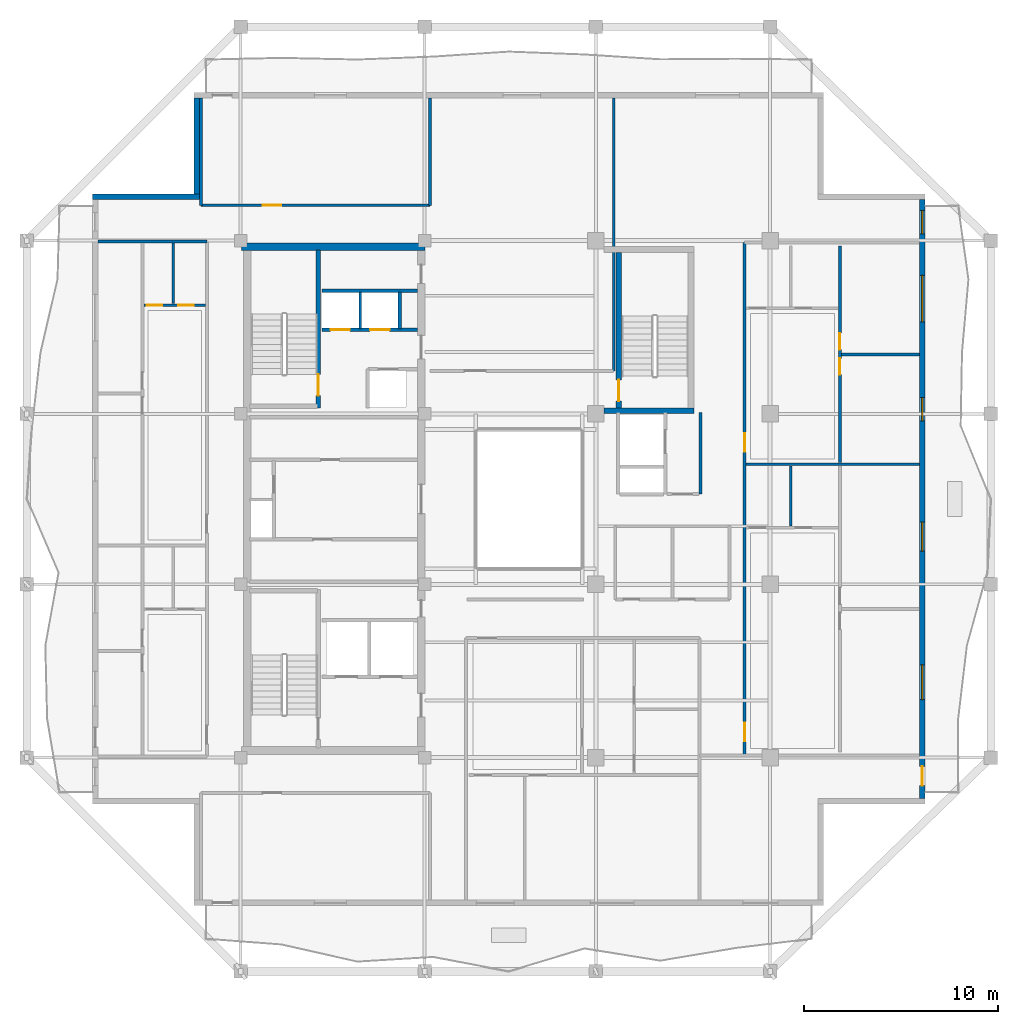
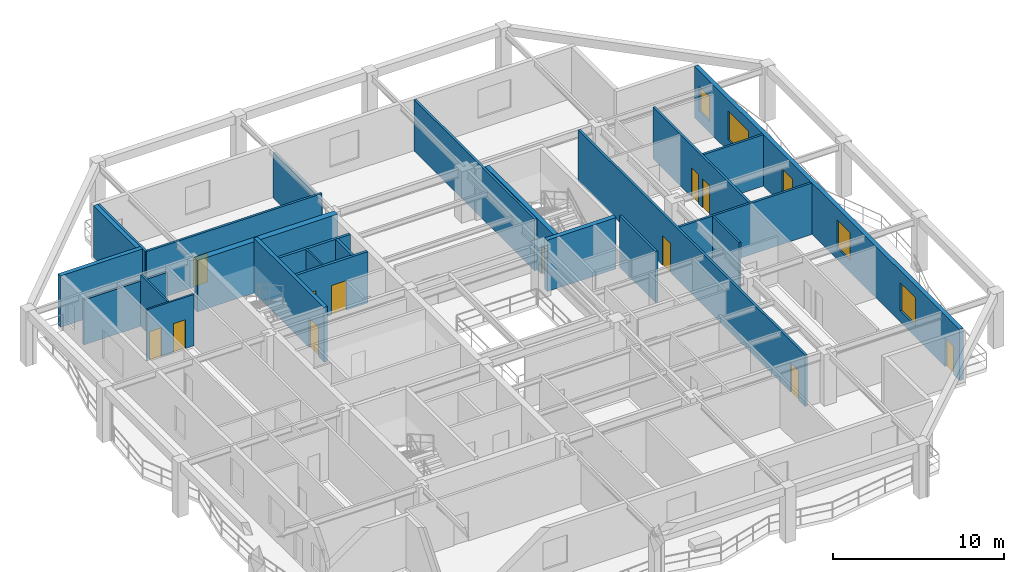
# One storey, part 5 of 12: 24 walls, 12 doors, 5 windows, 17 openings.
"""IFC4 building model written with IfcOpenShell, lengths in metres."""

from ifc_helpers import new_model, si_unit, direction, frame, frame_2d, origin, place, context, subcontext, project, spatial, rectangle, extrude, material, layer, layer_set, type_object, element, fill, save


model = new_model("IFC4")

# Units and contexts
model_context = context("Model", 3, precision=1e-05, world=origin(), true_north=direction((0.0, 1.0)))
body_context = subcontext(model_context, "Body", "Model", "MODEL_VIEW")
ifc_project = project(units=[si_unit("LENGTHUNIT", "METRE"), si_unit("AREAUNIT", "SQUARE_METRE"), si_unit("VOLUMEUNIT", "CUBIC_METRE"), si_unit("PLANEANGLEUNIT", "RADIAN"), si_unit("MASSUNIT", "GRAM", prefix="KILO")], contexts=[model_context])

# Site, building, storey
site_placement = place(None, origin())
site = spatial("IfcSite", under=ifc_project, at=site_placement, CompositionType="ELEMENT")
building_placement = place(site_placement, origin())
building = spatial("IfcBuilding", under=site, at=building_placement, Name="Kundavana Baori Tower", CompositionType="ELEMENT")
storey_placement = place(building_placement, frame((0.0, 0.0, 245.300048828125)))
storey = spatial("IfcBuildingStorey", under=building, at=storey_placement, Name="L60", CompositionType="ELEMENT", Elevation=245.300048828125)

# Wall
ifc_material_1 = material(Name="Concrete C50/60", Category="concrete")
ifc_layer_1 = layer(ifc_material_1, 0.39990234375, Name="WL-CORE-400")
ifc_layer_set_1 = layer_set([ifc_layer_1], Name="Concrete C50/60")
wall_type_1 = type_object("IfcWallType", Name="WL-CORE-400", PredefinedType="SHEAR", material=ifc_layer_set_1)
wall_1_placement = place(storey_placement, frame((15.5, 41.639892578125, 0.0), z_axis=(0.0, 0.0, 1.0), x_axis=(1.0, 0.0, 0.0)))
element("IfcWall", 1, at=wall_1_placement, inside=storey, type_object=wall_type_1, Name="L60 Offset Core North Shear Wall", PredefinedType="SHEAR", context=body_context, shape_type="SweptSolid", body=[
    extrude(rectangle(XDim=9.47998046875, YDim=0.39990234375, at=frame_2d((4.739990234375, 0.0))), origin(), (0.0, 0.0, 1.0), 3.659912109375),
])

# Wall, opening, door
wall_2_placement = place(storey_placement, frame((19.4599609375, 33.300048828125, 0.0), z_axis=(0.0, 0.0, 1.0), x_axis=(0.0, 1.0, 0.0)))
wall_2 = element("IfcWall", 2, at=wall_2_placement, inside=storey, type_object=wall_type_1, Name="WL-L60-ST2-E", PredefinedType="SHEAR", context=body_context, shape_type="SweptSolid", body=[
    extrude(rectangle(XDim=8.179931640625, YDim=0.239990234375, at=frame_2d((4.08984375, 0.0))), origin(), (0.0, 0.0, 1.0), 3.89990234375),
])
opening_1_placement = place(wall_2_placement, frame((0.64990234375, 0.0, 0.0)))
opening_1 = element("IfcOpeningElement", 3, at=opening_1_placement, cuts=wall_2, Name="Opening FD-110", PredefinedType="OPENING", context=body_context, shape_type="SweptSolid", body=[
    extrude(rectangle(XDim=1.10009765625, YDim=2.10009765625, at=frame_2d((0.550048828125, 1.050048828125))), frame((0.0, 0.1298828125, 0.0), z_axis=(0.0, -1.0, 0.0), x_axis=(1.0, 0.0, 0.0)), (0.0, 0.0, 1.0), 0.260009765625),
])
ifc_material_2 = material(Name="Galvanised Steel Fire-Rated Door Leaf", Category="steel")
door_type_1 = type_object("IfcDoorType", Name="DR-FD120-1100", OperationType="NOTDEFINED", PredefinedType="DOOR", material=ifc_material_2)
door_1_placement = place(opening_1_placement, origin())
door_1 = element("IfcDoor", 4, at=door_1_placement, inside=storey, type_object=door_type_1, Name="DR-L60-ST2", OperationType="SINGLE_SWING_RIGHT", OverallHeight=2.10009765625, OverallWidth=1.10009765625, PredefinedType="DOOR", context=body_context, shape_type="SweptSolid", body=[
    extrude(rectangle(XDim=1.10009765625, YDim=2.10009765625, at=frame_2d((0.550048828125, 1.050048828125))), frame((0.0, 0.02490234375, 0.0), z_axis=(0.0, -1.0, 0.0), x_axis=(1.0, 0.0, 0.0)), (0.0, 0.0, 1.0), 0.050048828125),
])
fill(opening_1, door_1)

# Wall, openings, door, windows
ifc_material_3 = material(Name="Red-Buff Dholpur Sandstone Cladding on Concrete C40/50", Category="masonry")
ifc_layer_2 = layer(ifc_material_3, 0.280029296875, Name="WL-EXT-SAND-280")
ifc_layer_set_2 = layer_set([ifc_layer_2], Name="Red-Buff Dholpur Sandstone Cladding on Concrete C40/50")
wall_type_2 = type_object("IfcWallType", Name="WL-EXT-SAND-280", PredefinedType="STANDARD", material=ifc_layer_set_2)
wall_3_placement = place(storey_placement, frame((50.659912109375, 13.1298828125, 0.0), z_axis=(0.0, 0.0, 1.0), x_axis=(0.0, 1.0, 0.0)))
wall_3 = element("IfcWall", 5, at=wall_3_placement, inside=storey, type_object=wall_type_2, Name="L60 Exterior Insulated Facade Wall 04", PredefinedType="STANDARD", context=body_context, shape_type="SweptSolid", body=[
    extrude(rectangle(XDim=30.940185546875, YDim=0.280029296875, at=frame_2d((15.47021484375, 0.0))), origin(), (0.0, 0.0, 1.0), 3.659912109375),
])
opening_2_placement = place(wall_3_placement, frame((0.669921875, 0.0, 0.0)))
opening_2 = element("IfcOpeningElement", 6, at=opening_2_placement, cuts=wall_3, Name="Opening BD-1", PredefinedType="OPENING", context=body_context, shape_type="SweptSolid", body=[
    extrude(rectangle(XDim=1.0, YDim=2.050048828125, at=frame_2d((0.5, 1.02490234375))), frame((0.0, 0.14990234375, 0.0), z_axis=(0.0, -1.0, 0.0), x_axis=(1.0, 0.0, 0.0)), (0.0, 0.0, 1.0), 0.300048828125),
])
opening_3_placement = place(wall_3_placement, frame((5.10693359375, 0.0, 0.800048828125)))
opening_3 = element("IfcOpeningElement", 7, at=opening_3_placement, cuts=wall_3, Name="Opening W-01", PredefinedType="OPENING", context=body_context, shape_type="SweptSolid", body=[
    extrude(rectangle(XDim=1.800048828125, YDim=2.0, at=frame_2d((0.89990234375, 1.0))), frame((0.0, 0.14990234375, 0.0), z_axis=(0.0, -1.0, 0.0), x_axis=(1.0, 0.0, 0.0)), (0.0, 0.0, 1.0), 0.300048828125),
])
opening_4_placement = place(wall_3_placement, frame((12.782958984375, 0.0, 0.800048828125)))
opening_4 = element("IfcOpeningElement", 8, at=opening_4_placement, cuts=wall_3, Name="Opening W-02", PredefinedType="OPENING", context=body_context, shape_type="SweptSolid", body=[
    extrude(rectangle(XDim=1.5, YDim=2.0, at=frame_2d((0.75, 1.0))), frame((0.0, 0.14990234375, 0.0), z_axis=(0.0, -1.0, 0.0), x_axis=(1.0, 0.0, 0.0)), (0.0, 0.0, 1.0), 0.300048828125),
])
opening_5_placement = place(wall_3_placement, frame((19.507080078125, 0.0, 0.800048828125)))
opening_5 = element("IfcOpeningElement", 9, at=opening_5_placement, cuts=wall_3, Name="Opening W-03", PredefinedType="OPENING", context=body_context, shape_type="SweptSolid", body=[
    extrude(rectangle(XDim=1.199951171875, YDim=1.75, at=frame_2d((0.60009765625, 0.875))), frame((0.0, 0.14990234375, 0.0), z_axis=(0.0, -1.0, 0.0), x_axis=(1.0, 0.0, 0.0)), (0.0, 0.0, 1.0), 0.300048828125),
])
opening_6_placement = place(wall_3_placement, frame((24.632080078125, 0.0, 0.800048828125)))
opening_6 = element("IfcOpeningElement", 10, at=opening_6_placement, cuts=wall_3, Name="Opening W-04", PredefinedType="OPENING", context=body_context, shape_type="SweptSolid", body=[
    extrude(rectangle(XDim=2.39990234375, YDim=2.050048828125, at=frame_2d((1.199951171875, 1.02490234375))), frame((0.0, 0.14990234375, 0.0), z_axis=(0.0, -1.0, 0.0), x_axis=(1.0, 0.0, 0.0)), (0.0, 0.0, 1.0), 0.300048828125),
])
opening_7_placement = place(wall_3_placement, frame((29.175048828125, 0.0, 0.800048828125)))
opening_7 = element("IfcOpeningElement", 11, at=opening_7_placement, cuts=wall_3, Name="Opening W-03", PredefinedType="OPENING", context=body_context, shape_type="SweptSolid", body=[
    extrude(rectangle(XDim=1.199951171875, YDim=1.75, at=frame_2d((0.60009765625, 0.875))), frame((0.0, 0.14990234375, 0.0), z_axis=(0.0, -1.0, 0.0), x_axis=(1.0, 0.0, 0.0)), (0.0, 0.0, 1.0), 0.300048828125),
])
ifc_material_4 = material(Name="Architectural Patinated Bronze Metalwork")
door_type_2 = type_object("IfcDoorType", Name="DR-EXT-LOG-1000", OperationType="NOTDEFINED", PredefinedType="DOOR", material=ifc_material_4)
door_2_placement = place(opening_2_placement, frame((1.0, 0.0, 0.0), z_axis=(0.0, 0.0, 1.0), x_axis=(-1.0, 0.0, 0.0)))
door_2 = element("IfcDoor", 12, at=door_2_placement, inside=storey, type_object=door_type_2, Name="L60 Loggia Balcony Access Door E", OperationType="SINGLE_SWING_RIGHT", OverallHeight=2.050048828125, OverallWidth=1.0, PredefinedType="DOOR", context=body_context, shape_type="SweptSolid", body=[
    extrude(rectangle(XDim=1.0, YDim=2.050048828125, at=frame_2d((0.5, 1.02490234375))), frame((0.0, 0.02490234375, 0.0), z_axis=(0.0, -1.0, 0.0), x_axis=(1.0, 0.0, 0.0)), (0.0, 0.0, 1.0), 0.050048828125),
])
fill(opening_2, door_2)
ifc_material_5 = material(Name="Double-Glazed Solar-Control Low-E Insulated Glass", Category="glass")
window_type_1 = type_object("IfcWindowType", Name="WIN-LOG-1200x1750", PartitioningType="SINGLE_PANEL", PredefinedType="WINDOW", material=ifc_material_5)
window_1_placement = place(opening_5_placement, origin())
window_1 = element("IfcWindow", 13, at=window_1_placement, inside=storey, type_object=window_type_1, Name="L60 Recessed Loggia Window E-4", OverallHeight=1.75, OverallWidth=1.199951171875, PartitioningType="SINGLE_PANEL", PredefinedType="WINDOW", context=body_context, shape_type="SweptSolid", body=[
    extrude(rectangle(XDim=1.199951171875, YDim=1.75, at=frame_2d((0.60009765625, 0.875))), frame((0.0, 0.030029296875, 0.0), z_axis=(0.0, -1.0, 0.0), x_axis=(1.0, 0.0, 0.0)), (0.0, 0.0, 1.0), 0.06005859375),
])
fill(opening_5, window_1)
window_2_placement = place(opening_7_placement, origin())
window_2 = element("IfcWindow", 14, at=window_2_placement, inside=storey, type_object=window_type_1, Name="L60 Recessed Loggia Window E-6", OverallHeight=1.75, OverallWidth=1.199951171875, PartitioningType="SINGLE_PANEL", PredefinedType="WINDOW", context=body_context, shape_type="SweptSolid", body=[
    extrude(rectangle(XDim=1.199951171875, YDim=1.75, at=frame_2d((0.60009765625, 0.875))), frame((0.0, 0.030029296875, 0.0), z_axis=(0.0, -1.0, 0.0), x_axis=(1.0, 0.0, 0.0)), (0.0, 0.0, 1.0), 0.06005859375),
])
fill(opening_7, window_2)
ifc_material_6 = material(Name="Double-Glazed Solar-Control Low-E Insulated Glass", Category="glass")
window_type_2 = type_object("IfcWindowType", Name="WIN-LOG-1500x2000", PartitioningType="SINGLE_PANEL", PredefinedType="WINDOW", material=ifc_material_6)
window_3_placement = place(opening_4_placement, origin())
window_3 = element("IfcWindow", 15, at=window_3_placement, inside=storey, type_object=window_type_2, Name="L60 Recessed Loggia Window E-3", OverallHeight=2.0, OverallWidth=1.5, PartitioningType="SINGLE_PANEL", PredefinedType="WINDOW", context=body_context, shape_type="SweptSolid", body=[
    extrude(rectangle(XDim=1.5, YDim=2.0, at=frame_2d((0.75, 1.0))), frame((0.0, 0.030029296875, 0.0), z_axis=(0.0, -1.0, 0.0), x_axis=(1.0, 0.0, 0.0)), (0.0, 0.0, 1.0), 0.06005859375),
])
fill(opening_4, window_3)
ifc_material_7 = material(Name="Double-Glazed Solar-Control Low-E Insulated Glass", Category="glass")
window_type_3 = type_object("IfcWindowType", Name="WIN-LOG-1800x2000", PartitioningType="SINGLE_PANEL", PredefinedType="WINDOW", material=ifc_material_7)
window_4_placement = place(opening_3_placement, origin())
window_4 = element("IfcWindow", 16, at=window_4_placement, inside=storey, type_object=window_type_3, Name="L60 Recessed Loggia Window E-2", OverallHeight=2.0, OverallWidth=1.800048828125, PartitioningType="SINGLE_PANEL", PredefinedType="WINDOW", context=body_context, shape_type="SweptSolid", body=[
    extrude(rectangle(XDim=1.800048828125, YDim=2.0, at=frame_2d((0.89990234375, 1.0))), frame((0.0, 0.030029296875, 0.0), z_axis=(0.0, -1.0, 0.0), x_axis=(1.0, 0.0, 0.0)), (0.0, 0.0, 1.0), 0.06005859375),
])
fill(opening_3, window_4)
ifc_material_8 = material(Name="Double-Glazed Solar-Control Low-E Insulated Glass", Category="glass")
window_type_4 = type_object("IfcWindowType", Name="WIN-LOG-2400x2050", PartitioningType="SINGLE_PANEL", PredefinedType="WINDOW", material=ifc_material_8)
window_5_placement = place(opening_6_placement, origin())
window_5 = element("IfcWindow", 17, at=window_5_placement, inside=storey, type_object=window_type_4, Name="L60 Recessed Loggia Window E-5", OverallHeight=2.050048828125, OverallWidth=2.39990234375, PartitioningType="SINGLE_PANEL", PredefinedType="WINDOW", context=body_context, shape_type="SweptSolid", body=[
    extrude(rectangle(XDim=2.39990234375, YDim=2.050048828125, at=frame_2d((1.199951171875, 1.02490234375))), frame((0.0, 0.030029296875, 0.0), z_axis=(0.0, -1.0, 0.0), x_axis=(1.0, 0.0, 0.0)), (0.0, 0.0, 1.0), 0.06005859375),
])
fill(opening_6, window_5)

# Walls
wall_4_placement = place(storey_placement, frame((13.18994140625, 49.320068359375, 0.0), z_axis=(0.0, 0.0, 1.0), x_axis=(0.0, -1.0, 0.0)))
element("IfcWall", 18, at=wall_4_placement, inside=storey, type_object=wall_type_2, Name="L60 Exterior Insulated Facade Wall 08", PredefinedType="STANDARD", context=body_context, shape_type="SweptSolid", body=[
    extrude(rectangle(XDim=4.969970703125, YDim=0.280029296875, at=frame_2d((2.48486328125, 0.0))), origin(), (0.0, 0.0, 1.0), 3.659912109375),
])
wall_5_placement = place(storey_placement, frame((13.330078125, 44.2099609375, 0.0), z_axis=(0.0, 0.0, 1.0), x_axis=(-1.0, 0.0, 0.0)))
element("IfcWall", 19, at=wall_5_placement, inside=storey, type_object=wall_type_2, Name="L60 Exterior Insulated Facade Wall 09", PredefinedType="STANDARD", context=body_context, shape_type="SweptSolid", body=[
    extrude(rectangle(XDim=5.530029296875, YDim=0.280029296875, at=frame_2d((2.76513671875, 0.0))), origin(), (0.0, 0.0, 1.0), 3.659912109375),
])
ifc_material_9 = material(Name="Acoustic Gypsum Plasterboard on Galvanised Steel Studs", Category="steel")
ifc_layer_3 = layer(ifc_material_9, 0.1201171875, Name="WL-PART-120")
ifc_layer_set_3 = layer_set([ifc_layer_3], Name="Acoustic Gypsum Plasterboard on Galvanised Steel Studs")
wall_type_3 = type_object("IfcWallType", Name="WL-PART-120", PredefinedType="PARTITIONING", material=ifc_layer_set_3)
wall_6_placement = place(storey_placement, frame((21.6201171875, 37.39990234375, 0.0), z_axis=(0.0, 0.0, 1.0), x_axis=(0.0, 1.0, 0.0)))
element("IfcWall", 20, at=wall_6_placement, inside=storey, type_object=wall_type_3, Name="WL-L60-HR-DIV1", PredefinedType="PARTITIONING", context=body_context, shape_type="SweptSolid", body=[
    extrude(rectangle(XDim=1.900146484375, YDim=0.1201171875, at=frame_2d((0.9501953125, 0.0))), origin(), (0.0, 0.0, 1.0), 3.659912109375),
])
ifc_material_10 = material(Name="Fire-Rated Gypsum Drywall on Galvanised Steel Studs", Category="steel")
ifc_layer_4 = layer(ifc_material_10, 0.14990234375, Name="WL-PART-150")
ifc_layer_set_4 = layer_set([ifc_layer_4], Name="Fire-Rated Gypsum Drywall on Galvanised Steel Studs")
wall_type_4 = type_object("IfcWallType", Name="WL-PART-150", PredefinedType="PARTITIONING", material=ifc_layer_set_4)
wall_7_placement = place(storey_placement, frame((39.199951171875, 28.860107421875, 0.0), z_axis=(0.0, 0.0, 1.0), x_axis=(0.0, 1.0, 0.0)))
element("IfcWall", 21, at=wall_7_placement, inside=storey, type_object=wall_type_4, Name="WL-L60-SVLOB-E", PredefinedType="PARTITIONING", context=body_context, shape_type="SweptSolid", body=[
    extrude(rectangle(XDim=4.219970703125, YDim=0.14990234375, at=frame_2d((2.10986328125, 0.0))), origin(), (0.0, 0.0, 1.0), 3.659912109375),
])

# Wall, opening, door
wall_8_placement = place(storey_placement, frame((13.39990234375, 43.780029296875, 0.0), z_axis=(0.0, 0.0, 1.0), x_axis=(1.0, 0.0, 0.0)))
wall_8 = element("IfcWall", 22, at=wall_8_placement, inside=storey, type_object=wall_type_4, Name="WL-L60-RNC", PredefinedType="PARTITIONING", context=body_context, shape_type="SweptSolid", body=[
    extrude(rectangle(XDim=11.820068359375, YDim=0.14990234375, at=frame_2d((5.91015625, 0.0))), origin(), (0.0, 0.0, 1.0), 3.659912109375),
])
opening_8_placement = place(wall_8_placement, frame((3.199951171875, 0.0, 0.0)))
opening_8 = element("IfcOpeningElement", 23, at=opening_8_placement, cuts=wall_8, Name="Opening ID-095", PredefinedType="OPENING", context=body_context, shape_type="SweptSolid", body=[
    extrude(rectangle(XDim=0.949951171875, YDim=2.080078125, at=frame_2d((0.47509765625, 1.0400390625))), frame((0.0, 0.0849609375, 0.0), z_axis=(0.0, -1.0, 0.0), x_axis=(1.0, 0.0, 0.0)), (0.0, 0.0, 1.0), 0.169921875),
])
ifc_material_11 = material(Name="Engineered Teak Solid-Core Timber Veneer", Category="wood")
door_type_3 = type_object("IfcDoorType", Name="DR-INT-950", OperationType="NOTDEFINED", PredefinedType="DOOR", material=ifc_material_11)
door_3_placement = place(opening_8_placement, origin())
door_3 = element("IfcDoor", 24, at=door_3_placement, inside=storey, type_object=door_type_3, Name="DR-L60-RMNW", OperationType="SINGLE_SWING_RIGHT", OverallHeight=2.080078125, OverallWidth=0.949951171875, PredefinedType="DOOR", context=body_context, shape_type="SweptSolid", body=[
    extrude(rectangle(XDim=0.949951171875, YDim=2.080078125, at=frame_2d((0.47509765625, 1.0400390625))), frame((0.0, 0.02490234375, 0.0), z_axis=(0.0, -1.0, 0.0), x_axis=(1.0, 0.0, 0.0)), (0.0, 0.0, 1.0), 0.050048828125),
])
fill(opening_8, door_3)

# Walls
wall_9_placement = place(storey_placement, frame((13.39990234375, 43.780029296875, 0.0), z_axis=(0.0, 0.0, 1.0), x_axis=(0.0, 1.0, 0.0)))
element("IfcWall", 25, at=wall_9_placement, inside=storey, type_object=wall_type_4, Name="WL-L60-RNCW", PredefinedType="PARTITIONING", context=body_context, shape_type="SweptSolid", body=[
    extrude(rectangle(XDim=5.5400390625, YDim=0.14990234375, at=frame_2d((2.77001953125, 0.0))), origin(), (0.0, 0.0, 1.0), 3.659912109375),
])
wall_10_placement = place(storey_placement, frame((25.219970703125, 43.780029296875, 0.0), z_axis=(0.0, 0.0, 1.0), x_axis=(0.0, 1.0, 0.0)))
element("IfcWall", 26, at=wall_10_placement, inside=storey, type_object=wall_type_4, Name="WL-L60-RNCE", PredefinedType="PARTITIONING", context=body_context, shape_type="SweptSolid", body=[
    extrude(rectangle(XDim=5.5400390625, YDim=0.14990234375, at=frame_2d((2.77001953125, 0.0))), origin(), (0.0, 0.0, 1.0), 3.2099609375),
])
wall_11_placement = place(storey_placement, frame((8.080078125, 41.89990234375, 0.0), z_axis=(0.0, 0.0, 1.0), x_axis=(1.0, 0.0, 0.0)))
element("IfcWall", 27, at=wall_11_placement, inside=storey, type_object=wall_type_4, Name="WL-L60-RWN", PredefinedType="PARTITIONING", context=body_context, shape_type="SweptSolid", body=[
    extrude(rectangle(XDim=5.619873046875, YDim=0.14990234375, at=frame_2d((2.81005859375, 0.0))), origin(), (0.0, 0.0, 1.0), 3.2099609375),
])
wall_12_placement = place(storey_placement, frame((34.719970703125, 35.219970703125, 0.0), z_axis=(0.0, 0.0, 1.0), x_axis=(0.0, 1.0, 0.0)))
element("IfcWall", 28, at=wall_12_placement, inside=storey, type_object=wall_type_4, Name="WL-L60-RNEND", PredefinedType="PARTITIONING", context=body_context, shape_type="SweptSolid", body=[
    extrude(rectangle(XDim=14.10009765625, YDim=0.14990234375, at=frame_2d((7.050048828125, 0.0))), origin(), (0.0, 0.0, 1.0), 3.659912109375),
])

# Wall, openings, doors
wall_13_placement = place(storey_placement, frame((41.47998046875, 15.35009765625, 0.0), z_axis=(0.0, 0.0, 1.0), x_axis=(0.0, 1.0, 0.0)))
wall_13 = element("IfcWall", 29, at=wall_13_placement, inside=storey, type_object=wall_type_4, Name="WL-L60-RE", PredefinedType="PARTITIONING", context=body_context, shape_type="SweptSolid", body=[
    extrude(rectangle(XDim=26.5, YDim=0.14990234375, at=frame_2d((13.25, 0.0))), origin(), (0.0, 0.0, 1.0), 3.659912109375),
])
opening_9_placement = place(wall_13_placement, frame((0.75, 0.0, 0.0)))
opening_9 = element("IfcOpeningElement", 30, at=opening_9_placement, cuts=wall_13, Name="Opening FD-095", PredefinedType="OPENING", context=body_context, shape_type="SweptSolid", body=[
    extrude(rectangle(XDim=0.949951171875, YDim=2.10009765625, at=frame_2d((0.47509765625, 1.050048828125))), frame((0.0, 0.0849609375, 0.0), z_axis=(0.0, -1.0, 0.0), x_axis=(1.0, 0.0, 0.0)), (0.0, 0.0, 1.0), 0.169921875),
])
opening_10_placement = place(wall_13_placement, frame((15.699951171875, 0.0, 0.0)))
opening_10 = element("IfcOpeningElement", 31, at=opening_10_placement, cuts=wall_13, Name="Opening FD-095", PredefinedType="OPENING", context=body_context, shape_type="SweptSolid", body=[
    extrude(rectangle(XDim=0.949951171875, YDim=2.10009765625, at=frame_2d((0.47509765625, 1.050048828125))), frame((0.0, 0.0849609375, 0.0), z_axis=(0.0, -1.0, 0.0), x_axis=(1.0, 0.0, 0.0)), (0.0, 0.0, 1.0), 0.169921875),
])
ifc_material_12 = material(Name="Engineered Teak Fire-Rated Timber Door Leaf", Category="wood")
door_type_4 = type_object("IfcDoorType", Name="DR-FD60-950", OperationType="NOTDEFINED", PredefinedType="DOOR", material=ifc_material_12)
door_4_placement = place(opening_9_placement, origin())
door_4 = element("IfcDoor", 32, at=door_4_placement, inside=storey, type_object=door_type_4, Name="DR-L60-E1-ENT", OperationType="SINGLE_SWING_LEFT", OverallHeight=2.10009765625, OverallWidth=0.949951171875, PredefinedType="DOOR", context=body_context, shape_type="SweptSolid", body=[
    extrude(rectangle(XDim=0.949951171875, YDim=2.10009765625, at=frame_2d((0.47509765625, 1.050048828125))), frame((0.0, 0.02490234375, 0.0), z_axis=(0.0, -1.0, 0.0), x_axis=(1.0, 0.0, 0.0)), (0.0, 0.0, 1.0), 0.050048828125),
])
fill(opening_9, door_4)
door_5_placement = place(opening_10_placement, origin())
door_5 = element("IfcDoor", 33, at=door_5_placement, inside=storey, type_object=door_type_4, Name="DR-L60-E2-ENT", OperationType="SINGLE_SWING_LEFT", OverallHeight=2.10009765625, OverallWidth=0.949951171875, PredefinedType="DOOR", context=body_context, shape_type="SweptSolid", body=[
    extrude(rectangle(XDim=0.949951171875, YDim=2.10009765625, at=frame_2d((0.47509765625, 1.050048828125))), frame((0.0, 0.02490234375, 0.0), z_axis=(0.0, -1.0, 0.0), x_axis=(1.0, 0.0, 0.0)), (0.0, 0.0, 1.0), 0.050048828125),
])
fill(opening_10, door_5)

# Wall
wall_14_placement = place(storey_placement, frame((41.56005859375, 30.39990234375, 0.0), z_axis=(0.0, 0.0, 1.0), x_axis=(1.0, 0.0, 0.0)))
element("IfcWall", 34, at=wall_14_placement, inside=storey, type_object=wall_type_4, Name="WL-L60-RED1", PredefinedType="PARTITIONING", context=body_context, shape_type="SweptSolid", body=[
    extrude(rectangle(XDim=8.9599609375, YDim=0.14990234375, at=frame_2d((4.47998046875, 0.0))), origin(), (0.0, 0.0, 1.0), 3.659912109375),
])

# Wall, openings, doors
wall_15_placement = place(storey_placement, frame((46.407958984375, 30.47998046875, 0.0), z_axis=(0.0, 0.0, 1.0), x_axis=(0.0, 1.0, 0.0)))
wall_15 = element("IfcWall", 35, at=wall_15_placement, inside=storey, type_object=wall_type_4, Name="WL-L60-E2-VT", PredefinedType="PARTITIONING", context=body_context, shape_type="SweptSolid", body=[
    extrude(rectangle(XDim=11.18994140625, YDim=0.14990234375, at=frame_2d((5.594970703125, 0.0))), origin(), (0.0, 0.0, 1.0), 3.659912109375),
])
opening_11_placement = place(wall_15_placement, frame((4.544921875, 0.0, 0.0)))
opening_11 = element("IfcOpeningElement", 36, at=opening_11_placement, cuts=wall_15, Name="Opening ID-085", PredefinedType="OPENING", context=body_context, shape_type="SweptSolid", body=[
    extrude(rectangle(XDim=0.85009765625, YDim=2.080078125, at=frame_2d((0.425048828125, 1.0400390625))), frame((0.0, 0.0849609375, 0.0), z_axis=(0.0, -1.0, 0.0), x_axis=(1.0, 0.0, 0.0)), (0.0, 0.0, 1.0), 0.169921875),
])
opening_12_placement = place(wall_15_placement, frame((5.844970703125, 0.0, 0.0)))
opening_12 = element("IfcOpeningElement", 37, at=opening_12_placement, cuts=wall_15, Name="Opening ID-085", PredefinedType="OPENING", context=body_context, shape_type="SweptSolid", body=[
    extrude(rectangle(XDim=0.85009765625, YDim=2.080078125, at=frame_2d((0.425048828125, 1.0400390625))), frame((0.0, 0.0849609375, 0.0), z_axis=(0.0, -1.0, 0.0), x_axis=(1.0, 0.0, 0.0)), (0.0, 0.0, 1.0), 0.169921875),
])
ifc_material_13 = material(Name="Engineered Teak Solid-Core Timber Veneer", Category="wood")
door_type_5 = type_object("IfcDoorType", Name="DR-INT-850", OperationType="NOTDEFINED", PredefinedType="DOOR", material=ifc_material_13)
door_6_placement = place(opening_11_placement, origin())
door_6 = element("IfcDoor", 38, at=door_6_placement, inside=storey, type_object=door_type_5, Name="DR-L60-E2-B1", OperationType="SINGLE_SWING_LEFT", OverallHeight=2.080078125, OverallWidth=0.85009765625, PredefinedType="DOOR", context=body_context, shape_type="SweptSolid", body=[
    extrude(rectangle(XDim=0.85009765625, YDim=2.080078125, at=frame_2d((0.425048828125, 1.0400390625))), frame((0.0, 0.02490234375, 0.0), z_axis=(0.0, -1.0, 0.0), x_axis=(1.0, 0.0, 0.0)), (0.0, 0.0, 1.0), 0.050048828125),
])
fill(opening_11, door_6)
door_7_placement = place(opening_12_placement, origin())
door_7 = element("IfcDoor", 39, at=door_7_placement, inside=storey, type_object=door_type_5, Name="DR-L60-E2-B2", OperationType="SINGLE_SWING_RIGHT", OverallHeight=2.080078125, OverallWidth=0.85009765625, PredefinedType="DOOR", context=body_context, shape_type="SweptSolid", body=[
    extrude(rectangle(XDim=0.85009765625, YDim=2.080078125, at=frame_2d((0.425048828125, 1.0400390625))), frame((0.0, 0.02490234375, 0.0), z_axis=(0.0, -1.0, 0.0), x_axis=(1.0, 0.0, 0.0)), (0.0, 0.0, 1.0), 0.050048828125),
])
fill(opening_12, door_7)

# Wall
wall_16_placement = place(storey_placement, frame((46.488037109375, 36.074951171875, 0.0), z_axis=(0.0, 0.0, 1.0), x_axis=(1.0, 0.0, 0.0)))
element("IfcWall", 40, at=wall_16_placement, inside=storey, type_object=wall_type_4, Name="WL-L60-E2-BDH", PredefinedType="PARTITIONING", context=body_context, shape_type="SweptSolid", body=[
    extrude(rectangle(XDim=4.031982421875, YDim=0.14990234375, at=frame_2d((2.01611328125, 0.0))), origin(), (0.0, 0.0, 1.0), 3.659912109375),
])

# Wall, openings, doors
ifc_material_14 = material(Name="Autoclaved Aerated Concrete Blockwork Masonry", Category="masonry")
ifc_layer_5 = layer(ifc_material_14, 0.179931640625, Name="WL-SHAFT-180")
ifc_layer_set_5 = layer_set([ifc_layer_5], Name="Autoclaved Aerated Concrete Blockwork Masonry")
wall_type_5 = type_object("IfcWallType", Name="WL-SHAFT-180", PredefinedType="SOLIDWALL", material=ifc_layer_set_5)
wall_17_placement = place(storey_placement, frame((19.639892578125, 37.340087890625, 0.0), z_axis=(0.0, 0.0, 1.0), x_axis=(1.0, 0.0, 0.0)))
wall_17 = element("IfcWall", 41, at=wall_17_placement, inside=storey, type_object=wall_type_5, Name="WL-L60-HRLOB-N", PredefinedType="SOLIDWALL", context=body_context, shape_type="SweptSolid", body=[
    extrude(rectangle(XDim=4.940185546875, YDim=0.179931640625, at=frame_2d((2.47021484375, 0.0))), origin(), (0.0, 0.0, 1.0), 3.659912109375),
])
opening_13_placement = place(wall_17_placement, frame((0.449951171875, 0.0, 0.0)))
opening_13 = element("IfcOpeningElement", 42, at=opening_13_placement, cuts=wall_17, Name="Opening LD-100", PredefinedType="OPENING", context=body_context, shape_type="SweptSolid", body=[
    extrude(rectangle(XDim=1.0, YDim=2.10009765625, at=frame_2d((0.5, 1.050048828125))), frame((0.0, 0.10009765625, 0.0), z_axis=(0.0, -1.0, 0.0), x_axis=(1.0, 0.0, 0.0)), (0.0, 0.0, 1.0), 0.199951171875),
])
opening_14_placement = place(wall_17_placement, frame((2.5, 0.0, 0.0)))
opening_14 = element("IfcOpeningElement", 43, at=opening_14_placement, cuts=wall_17, Name="Opening LD-100", PredefinedType="OPENING", context=body_context, shape_type="SweptSolid", body=[
    extrude(rectangle(XDim=1.0, YDim=2.10009765625, at=frame_2d((0.5, 1.050048828125))), frame((0.0, 0.10009765625, 0.0), z_axis=(0.0, -1.0, 0.0), x_axis=(1.0, 0.0, 0.0)), (0.0, 0.0, 1.0), 0.199951171875),
])
ifc_material_15 = material(Name="Galvanised Steel Fire-Rated Door Leaf", Category="steel")
door_type_6 = type_object("IfcDoorType", Name="DR-SLIDE-LD1000", OperationType="NOTDEFINED", PredefinedType="DOOR", material=ifc_material_15)
door_8_placement = place(opening_13_placement, frame((1.0, 0.0, 0.0), z_axis=(0.0, 0.0, 1.0), x_axis=(-1.0, 0.0, 0.0)))
door_8 = element("IfcDoor", 44, at=door_8_placement, inside=storey, type_object=door_type_6, Name="DR-L60-LD-LP09", OperationType="DOUBLE_DOOR_SLIDING", OverallHeight=2.10009765625, OverallWidth=1.0, PredefinedType="DOOR", context=body_context, shape_type="SweptSolid", body=[
    extrude(rectangle(XDim=1.0, YDim=2.10009765625, at=frame_2d((0.5, 1.050048828125))), frame((0.0, 0.02490234375, 0.0), z_axis=(0.0, -1.0, 0.0), x_axis=(1.0, 0.0, 0.0)), (0.0, 0.0, 1.0), 0.050048828125),
])
fill(opening_13, door_8)
door_9_placement = place(opening_14_placement, frame((1.0, 0.0, 0.0), z_axis=(0.0, 0.0, 1.0), x_axis=(-1.0, 0.0, 0.0)))
door_9 = element("IfcDoor", 45, at=door_9_placement, inside=storey, type_object=door_type_6, Name="DR-L60-LD-LP10", OperationType="DOUBLE_DOOR_SLIDING", OverallHeight=2.10009765625, OverallWidth=1.0, PredefinedType="DOOR", context=body_context, shape_type="SweptSolid", body=[
    extrude(rectangle(XDim=1.0, YDim=2.10009765625, at=frame_2d((0.5, 1.050048828125))), frame((0.0, 0.02490234375, 0.0), z_axis=(0.0, -1.0, 0.0), x_axis=(1.0, 0.0, 0.0)), (0.0, 0.0, 1.0), 0.050048828125),
])
fill(opening_14, door_9)

# Walls
wall_18_placement = place(storey_placement, frame((19.639892578125, 39.360107421875, 0.0), z_axis=(0.0, 0.0, 1.0), x_axis=(1.0, 0.0, 0.0)))
element("IfcWall", 46, at=wall_18_placement, inside=storey, type_object=wall_type_5, Name="WL-L60-HRLOB-TOP", PredefinedType="SOLIDWALL", context=body_context, shape_type="SweptSolid", body=[
    extrude(rectangle(XDim=4.940185546875, YDim=0.179931640625, at=frame_2d((2.47021484375, 0.0))), origin(), (0.0, 0.0, 1.0), 3.659912109375),
])
wall_19_placement = place(storey_placement, frame((23.659912109375, 37.39990234375, 0.0), z_axis=(0.0, 0.0, 1.0), x_axis=(0.0, 1.0, 0.0)))
element("IfcWall", 47, at=wall_19_placement, inside=storey, type_object=wall_type_5, Name="WL-L60-HR-DIV2", PredefinedType="SOLIDWALL", context=body_context, shape_type="SweptSolid", body=[
    extrude(rectangle(XDim=1.900146484375, YDim=0.179931640625, at=frame_2d((0.9501953125, 0.0))), origin(), (0.0, 0.0, 1.0), 3.659912109375),
])
ifc_material_16 = material(Name="Concrete C50/60", Category="concrete")
ifc_layer_6 = layer(ifc_material_16, 0.300048828125, Name="WL-ST3-300")
ifc_layer_set_6 = layer_set([ifc_layer_6], Name="Concrete C50/60")
wall_type_6 = type_object("IfcWallType", Name="WL-ST3-300", PredefinedType="SHEAR", material=ifc_layer_set_6)
wall_20_placement = place(storey_placement, frame((34.22509765625, 33.159912109375, 0.0), z_axis=(0.0, 0.0, 1.0), x_axis=(1.0, 0.0, 0.0)))
element("IfcWall", 48, at=wall_20_placement, inside=storey, type_object=wall_type_6, Name="L60 Stair ST3 South Shear Wall", PredefinedType="SHEAR", context=body_context, shape_type="SweptSolid", body=[
    extrude(rectangle(XDim=4.64501953125, YDim=0.300048828125, at=frame_2d((2.322509765625, 0.0))), origin(), (0.0, 0.0, 1.0), 3.659912109375),
])

# Wall, opening, door
wall_21_placement = place(storey_placement, frame((34.97998046875, 33.31005859375, 0.0), z_axis=(0.0, 0.0, 1.0), x_axis=(0.0, 1.0, 0.0)))
wall_21 = element("IfcWall", 49, at=wall_21_placement, inside=storey, type_object=wall_type_6, Name="L60 Stair ST3 West Shear Wall", PredefinedType="SHEAR", context=body_context, shape_type="SweptSolid", body=[
    extrude(rectangle(XDim=8.030029296875, YDim=0.300048828125, at=frame_2d((4.01513671875, 0.0))), origin(), (0.0, 0.0, 1.0), 3.659912109375),
])
opening_15_placement = place(wall_21_placement, frame((0.35009765625, 0.0, 0.0)))
opening_15 = element("IfcOpeningElement", 50, at=opening_15_placement, cuts=wall_21, Name="Opening FD-110", PredefinedType="OPENING", context=body_context, shape_type="SweptSolid", body=[
    extrude(rectangle(XDim=1.10009765625, YDim=2.10009765625, at=frame_2d((0.550048828125, 1.050048828125))), frame((0.0, 0.16015625, 0.0), z_axis=(0.0, -1.0, 0.0), x_axis=(1.0, 0.0, 0.0)), (0.0, 0.0, 1.0), 0.320068359375),
])
door_10_placement = place(opening_15_placement, origin())
door_10 = element("IfcDoor", 51, at=door_10_placement, inside=storey, type_object=door_type_1, Name="DR-L60-ST3-W", OperationType="SINGLE_SWING_LEFT", OverallHeight=2.10009765625, OverallWidth=1.10009765625, PredefinedType="DOOR", context=body_context, shape_type="SweptSolid", body=[
    extrude(rectangle(XDim=1.10009765625, YDim=2.10009765625, at=frame_2d((0.550048828125, 1.050048828125))), frame((0.0, 0.02490234375, 0.0), z_axis=(0.0, -1.0, 0.0), x_axis=(1.0, 0.0, 0.0)), (0.0, 0.0, 1.0), 0.050048828125),
])
fill(opening_15, door_10)

# Wall, openings, doors
ifc_material_17 = material(Name="Autoclaved Aerated Concrete Blockwork Masonry", Category="masonry")
ifc_layer_7 = layer(ifc_material_17, 0.125, Name="WL-WET-120")
ifc_layer_set_7 = layer_set([ifc_layer_7], Name="Autoclaved Aerated Concrete Blockwork Masonry")
wall_type_7 = type_object("IfcWallType", Name="WL-WET-120", PredefinedType="PLUMBINGWALL", material=ifc_layer_set_7)
wall_22_placement = place(storey_placement, frame((10.449951171875, 38.6201171875, 0.0), z_axis=(0.0, 0.0, 1.0), x_axis=(1.0, 0.0, 0.0)))
wall_22 = element("IfcWall", 52, at=wall_22_placement, inside=storey, type_object=wall_type_7, Name="WL-L60-W2-KH", PredefinedType="PLUMBINGWALL", context=body_context, shape_type="SweptSolid", body=[
    extrude(rectangle(XDim=3.170166015625, YDim=0.125, at=frame_2d((1.5849609375, 0.0))), origin(), (0.0, 0.0, 1.0), 3.659912109375),
])
opening_16_placement = place(wall_22_placement, frame((0.159912109375, 0.0, 0.0)))
opening_16 = element("IfcOpeningElement", 53, at=opening_16_placement, cuts=wall_22, Name="Opening WD-080", PredefinedType="OPENING", context=body_context, shape_type="SweptSolid", body=[
    extrude(rectangle(XDim=0.800048828125, YDim=2.050048828125, at=frame_2d((0.39990234375, 1.02490234375))), frame((0.0, 0.072509765625, 0.0), z_axis=(0.0, -1.0, 0.0), x_axis=(1.0, 0.0, 0.0)), (0.0, 0.0, 1.0), 0.14501953125),
])
opening_17_placement = place(wall_22_placement, frame((1.781982421875, 0.0, 0.0)))
opening_17 = element("IfcOpeningElement", 54, at=opening_17_placement, cuts=wall_22, Name="Opening WD-080", PredefinedType="OPENING", context=body_context, shape_type="SweptSolid", body=[
    extrude(rectangle(XDim=0.800048828125, YDim=2.050048828125, at=frame_2d((0.39990234375, 1.02490234375))), frame((0.0, 0.072509765625, 0.0), z_axis=(0.0, -1.0, 0.0), x_axis=(1.0, 0.0, 0.0)), (0.0, 0.0, 1.0), 0.14501953125),
])
ifc_material_18 = material(Name="Engineered Teak Solid-Core Timber Veneer", Category="wood")
door_type_7 = type_object("IfcDoorType", Name="DR-WET-800", OperationType="NOTDEFINED", PredefinedType="DOOR", material=ifc_material_18)
door_11_placement = place(opening_16_placement, origin())
door_11 = element("IfcDoor", 55, at=door_11_placement, inside=storey, type_object=door_type_7, Name="DR-L60-W2-BT", OperationType="SINGLE_SWING_LEFT", OverallHeight=2.050048828125, OverallWidth=0.800048828125, PredefinedType="DOOR", context=body_context, shape_type="SweptSolid", body=[
    extrude(rectangle(XDim=0.800048828125, YDim=2.050048828125, at=frame_2d((0.39990234375, 1.02490234375))), frame((0.0, 0.02490234375, 0.0), z_axis=(0.0, -1.0, 0.0), x_axis=(1.0, 0.0, 0.0)), (0.0, 0.0, 1.0), 0.050048828125),
])
fill(opening_16, door_11)
door_12_placement = place(opening_17_placement, origin())
door_12 = element("IfcDoor", 56, at=door_12_placement, inside=storey, type_object=door_type_7, Name="DR-L60-W2-KT", OperationType="SINGLE_SWING_RIGHT", OverallHeight=2.050048828125, OverallWidth=0.800048828125, PredefinedType="DOOR", context=body_context, shape_type="SweptSolid", body=[
    extrude(rectangle(XDim=0.800048828125, YDim=2.050048828125, at=frame_2d((0.39990234375, 1.02490234375))), frame((0.0, 0.02490234375, 0.0), z_axis=(0.0, -1.0, 0.0), x_axis=(1.0, 0.0, 0.0)), (0.0, 0.0, 1.0), 0.050048828125),
])
fill(opening_17, door_12)

# Walls
for number, where, z_axis, x_axis, name in (
    (57, (11.971923828125, 38.699951171875, 0.0), (0.0, 0.0, 1.0), (0.0, 1.0, 0.0), "WL-L60-W2-BV"),
    (58, (43.85888671875, 27.199951171875, 0.0), (0.0, 0.0, 1.0), (0.0, 1.0, 0.0), "WL-L60-E1-BV"),
):
    element("IfcWall", number, at=place(storey_placement, frame(where, z_axis=z_axis, x_axis=x_axis)), inside=storey, type_object=wall_type_7, Name=name, PredefinedType="PLUMBINGWALL", context=body_context, shape_type="SweptSolid", body=[
        extrude(rectangle(XDim=3.1201171875, YDim=0.125, at=frame_2d((1.56005859375, 0.0))), origin(), (0.0, 0.0, 1.0), 3.659912109375),
    ])

save(model, "model.ifc")
